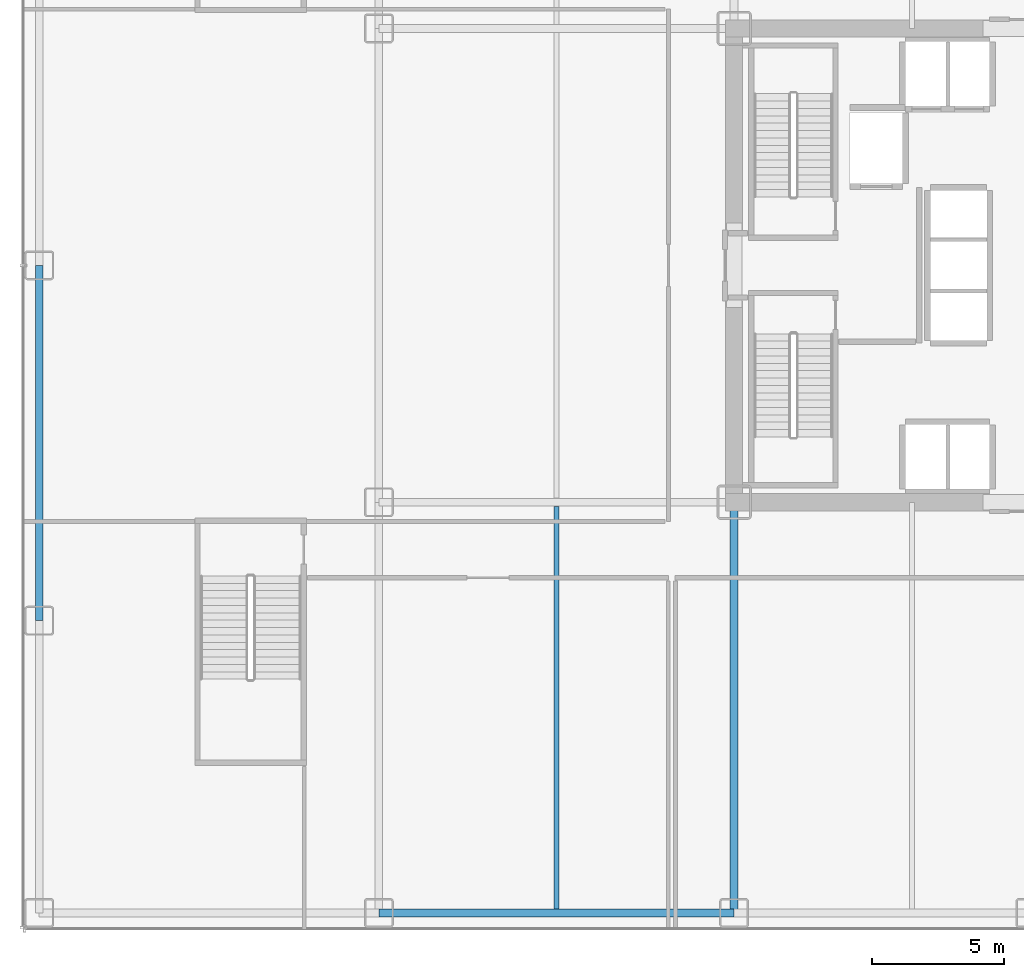
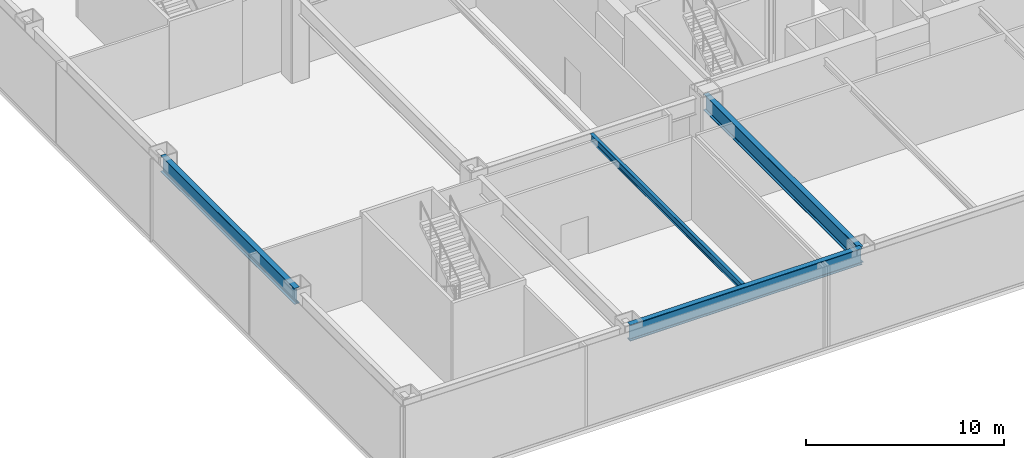
# One storey, part 3 of 24: 4 beams.
"""IFC4 building model written with IfcOpenShell, lengths in metres."""

import ifcopenshell
import ifcopenshell.guid

model = None  # the IFC model being written
_history = None  # IfcOwnerHistory: only IFC2X3 demands one
_inside = {}  # id of a spatial element -> (the spatial element, [elements in it])
_under = {}  # id of a project, library or spatial element -> (it, [spatial elements below it])
_declared = {}  # id of a project -> (the project, [libraries it declares])
_typed = {}  # id of a type object -> (the type object, [elements of that type])
_made_of = {}  # id of a material, layer set ... -> (it, [elements and type objects made of it])


def new_model(schema):
    """Start an empty IFC model of exactly this schema.

    Asked for "IFC4X3", IfcOpenShell would pick the latest addendum, in which some entities
    have other attributes; the version numbers below select the first issue.
    IFC2X3 requires an IfcOwnerHistory on every rooted entity: one is made here for all.
    """
    global model, _history
    if schema == "IFC4X3":
        model = ifcopenshell.file(schema_version=(4, 3, 0, 0))
    else:
        model = ifcopenshell.file(schema=schema)
    _inside.clear()
    _under.clear()
    _declared.clear()
    _typed.clear()
    _made_of.clear()
    _history = None
    if model.schema == "IFC2X3":
        org = make("IfcOrganization", Name="unknown")
        user = make(
            "IfcPersonAndOrganization",
            ThePerson=make("IfcPerson", FamilyName="unknown"),
            TheOrganization=org,
        )
        app = make(
            "IfcApplication",
            ApplicationDeveloper=org,
            Version="unknown",
            ApplicationFullName="unknown",
            ApplicationIdentifier="unknown",
        )
        _history = make(
            "IfcOwnerHistory",
            OwningUser=user,
            OwningApplication=app,
            ChangeAction="ADDED",
            CreationDate=0,
        )
    return model


def make(cls, **values):
    """One entity of the class cls with the attributes given. An attribute that is None is left unset."""
    return model.create_entity(
        cls, **{name: value for name, value in values.items() if value is not None}
    )


def rooted(cls, **values):
    """An entity with a GlobalId (a new one), such as an element, a storey or a relation."""
    return make(cls, GlobalId=ifcopenshell.guid.new(), OwnerHistory=_history, **values)


def si_unit(unit_type, name, prefix=None):
    """IfcSIUnit, for example si_unit("LENGTHUNIT", "METRE", prefix="MILLI")."""
    return make("IfcSIUnit", UnitType=unit_type, Prefix=prefix, Name=name)


def assignment(units):
    """IfcUnitAssignment: the units of a project."""
    return None if units is None else make("IfcUnitAssignment", Units=units)


def point(xyz):
    """IfcCartesianPoint."""
    return None if xyz is None else make("IfcCartesianPoint", Coordinates=xyz)


def direction(xyz):
    """IfcDirection."""
    return None if xyz is None else make("IfcDirection", DirectionRatios=xyz)


def frame(location, z_axis=None, x_axis=None):
    """IfcAxis2Placement3D, a coordinate frame: its origin and axes. An axis left out is left unset."""
    return make(
        "IfcAxis2Placement3D",
        Location=point(location),
        Axis=direction(z_axis),
        RefDirection=direction(x_axis),
    )


def frame_2d(location, x_axis=None):
    """IfcAxis2Placement2D, a coordinate frame in the plane: its origin and x axis."""
    return make(
        "IfcAxis2Placement2D", Location=point(location), RefDirection=direction(x_axis)
    )


def origin():
    """The frame at (0, 0, 0) with its axes left unset."""
    return frame((0.0, 0.0, 0.0))


def origin_2d():
    """The frame at (0, 0) in the plane with its x axis left unset."""
    return frame_2d((0.0, 0.0))


def place(relative_to, where):
    """IfcLocalPlacement: puts the frame where relative to a parent placement (None: the world)."""
    return make(
        "IfcLocalPlacement", PlacementRelTo=relative_to, RelativePlacement=where
    )


def context(
    kind, dimensions, precision=None, world=None, true_north=None, identifier=None
):
    """IfcGeometricRepresentationContext, for example the 3D "Model" context."""
    return make(
        "IfcGeometricRepresentationContext",
        ContextIdentifier=identifier,
        ContextType=kind,
        CoordinateSpaceDimension=dimensions,
        Precision=precision,
        WorldCoordinateSystem=world,
        TrueNorth=true_north,
    )


def subcontext(parent, identifier, kind, view, scale=None):
    """IfcGeometricRepresentationSubContext, for example "Body" below "Model"."""
    return make(
        "IfcGeometricRepresentationSubContext",
        ContextIdentifier=identifier,
        ContextType=kind,
        ParentContext=parent,
        TargetScale=scale,
        TargetView=view,
    )


def project(units=None, contexts=None):
    """IfcProject with its units and contexts."""
    return rooted(
        "IfcProject",
        Name="project",
        RepresentationContexts=contexts,
        UnitsInContext=assignment(units),
    )


def spatial(cls, under=None, at=None, **own):
    """A site, building, storey or space (cls), placed at a placement, below another one or the project."""
    s = rooted(cls, ObjectPlacement=at, **own)
    if under is not None:
        _under.setdefault(under.id(), (under, []))[1].append(s)
    return s


def profile(cls, at=None, kind="AREA", **sizes):
    """A parametric profile (cls). Its sizes go by their IFC names, for example OverallWidth=200.0."""
    return make(cls, ProfileType=kind, Position=at, **sizes)


def i_section(**sizes):
    """IfcIShapeProfileDef."""
    return profile("IfcIShapeProfileDef", **sizes)


def extrude(swept, where, along, depth):
    """IfcExtrudedAreaSolid: the profile swept, set in the frame where, extruded along a direction by depth."""
    return make(
        "IfcExtrudedAreaSolid",
        SweptArea=swept,
        Position=where,
        ExtrudedDirection=direction(along),
        Depth=depth,
    )


def shape(context_of_items, identifier, shape_type, items):
    """IfcShapeRepresentation: the items that make up one representation, for example the "Body"."""
    return make(
        "IfcShapeRepresentation",
        ContextOfItems=context_of_items,
        RepresentationIdentifier=identifier,
        RepresentationType=shape_type,
        Items=items,
    )


def source(mapping_origin, context_of_items, identifier, shape_type, items):
    """IfcRepresentationMap: a shape defined once, which mapped items show again and again."""
    return make(
        "IfcRepresentationMap",
        MappingOrigin=mapping_origin,
        MappedRepresentation=shape(context_of_items, identifier, shape_type, items),
    )


def transform(
    local_origin,
    x_axis=None,
    y_axis=None,
    z_axis=None,
    scale=None,
    scale2=None,
    scale3=None,
    uniform=True,
):
    """IfcCartesianTransformationOperator3D, or its non-uniform kind. x_axis, y_axis, z_axis: its Axis1, 2, 3."""
    if uniform:
        return make(
            "IfcCartesianTransformationOperator3D",
            Axis1=direction(x_axis),
            Axis2=direction(y_axis),
            LocalOrigin=point(local_origin),
            Scale=scale,
            Axis3=direction(z_axis),
        )
    return make(
        "IfcCartesianTransformationOperator3DnonUniform",
        Axis1=direction(x_axis),
        Axis2=direction(y_axis),
        LocalOrigin=point(local_origin),
        Scale=scale,
        Axis3=direction(z_axis),
        Scale2=scale2,
        Scale3=scale3,
    )


def mapped(mapping_source, mapping_target):
    """IfcMappedItem: shows the shape of a source again, moved by a transform."""
    return make(
        "IfcMappedItem", MappingSource=mapping_source, MappingTarget=mapping_target
    )


def material(Name=None, Category=None):
    """IfcMaterial."""
    return make("IfcMaterial", Name=Name, Category=Category)


def material_profile(
    of_material, cross_section, Name=None, Category=None, Priority=None
):
    """IfcMaterialProfile: a cross section and its material."""
    return make(
        "IfcMaterialProfile",
        Name=Name,
        Material=of_material,
        Profile=cross_section,
        Priority=Priority,
        Category=Category,
    )


def profile_set(profiles, Name=None, composite=None):
    """IfcMaterialProfileSet."""
    return make(
        "IfcMaterialProfileSet",
        Name=Name,
        MaterialProfiles=profiles,
        CompositeProfile=composite,
    )


def made_of(thing, what):
    """Note that an element or type object is made of a material, layer set ...; save() writes the relation."""
    if what is not None:
        _made_of.setdefault(what.id(), (what, []))[1].append(thing)
    return thing


def type_object(cls, material=None, **own):
    """A type object (cls), such as IfcWallType, which elements share."""
    return made_of(rooted(cls, **own), material)


def element(
    cls,
    number,
    at=None,
    inside=None,
    cuts=None,
    type_object=None,
    material=None,
    context=None,
    identifier="Body",
    shape_type=None,
    held_by="IfcProductDefinitionShape",
    body=None,
    shapes=None,
    **own,
):
    """One element of the class cls, such as IfcWall. Its Tag is "e" and its number.

    at: its placement. inside: the storey or other place that contains it. cuts: it is an
    opening in that element (IfcRelVoidsElement). A single representation is given by context,
    identifier, shape_type and body (its items); several are given by shapes. held_by: the class
    of the entity that holds the representations. save() writes the other relations.
    """
    e = rooted(cls, Tag="e%d" % number, ObjectPlacement=at, **own)
    if body is not None:
        shapes = [shape(context, identifier, shape_type, body)]
    if shapes is not None:
        e.Representation = make(held_by, Representations=shapes)
    if inside is not None:
        _inside.setdefault(inside.id(), (inside, []))[1].append(e)
    if cuts is not None:
        rooted(
            "IfcRelVoidsElement", RelatingBuildingElement=cuts, RelatedOpeningElement=e
        )
    if type_object is not None:
        _typed.setdefault(type_object.id(), (type_object, []))[1].append(e)
    return made_of(e, material)


def aggregate(whole, parts):
    """IfcRelAggregates: a whole, such as a stair, and the parts it consists of."""
    return rooted("IfcRelAggregates", RelatingObject=whole, RelatedObjects=parts)


def save(model, path):
    """Write the relations noted so far, then the file.

    IfcRelAggregates (storeys below a building ...), IfcRelContainedInSpatialStructure (elements
    in a storey), IfcRelDefinesByType, IfcRelAssociatesMaterial and IfcRelDeclares: one each for
    every whole, place, type object, material and project.
    """
    for whole, parts in _under.values():
        aggregate(whole, parts)
    for where, things in _inside.values():
        rooted(
            "IfcRelContainedInSpatialStructure",
            RelatedElements=things,
            RelatingStructure=where,
        )
    for kind, things in _typed.values():
        rooted("IfcRelDefinesByType", RelatedObjects=things, RelatingType=kind)
    for what, things in _made_of.values():
        rooted("IfcRelAssociatesMaterial", RelatedObjects=things, RelatingMaterial=what)
    for by, libraries in _declared.values():
        rooted("IfcRelDeclares", RelatingContext=by, RelatedDefinitions=libraries)
    model.write(path)


model = new_model("IFC4")

# Units and contexts
model_context = context("Model", 3, precision=1e-05, world=origin(), true_north=direction((0.0, 1.0)))
body_context = subcontext(model_context, "Body", "Model", "MODEL_VIEW")
ifc_project = project(units=[si_unit("LENGTHUNIT", "METRE"), si_unit("AREAUNIT", "SQUARE_METRE"), si_unit("VOLUMEUNIT", "CUBIC_METRE"), si_unit("PLANEANGLEUNIT", "RADIAN"), si_unit("MASSUNIT", "GRAM", prefix="KILO")], contexts=[model_context])

# Site, building, storey
site_placement = place(None, origin())
site = spatial("IfcSite", under=ifc_project, at=site_placement, CompositionType="ELEMENT")
building_placement = place(site_placement, origin())
building = spatial("IfcBuilding", under=site, at=building_placement, Name="Nefas-Gora Pilgrimage Tower", CompositionType="ELEMENT")
storey_placement = place(building_placement, frame((0.0, 0.0, 6.0)))
storey = spatial("IfcBuildingStorey", under=building, at=storey_placement, Name="L01", CompositionType="ELEMENT", Elevation=6.0)

# Beams
ifc_material_1 = material(Name="Steel S355", Category="steel")
ifc_material_profile_1 = material_profile(ifc_material_1, i_section(OverallWidth=0.18994140625, OverallDepth=0.449951171875, WebThickness=0.009521484375, FlangeThickness=0.0146484375, FilletRadius=0.02099609375, at=origin_2d()), Name="IPE 450")
ifc_profile_set_1 = profile_set([ifc_material_profile_1], Name="Steel S355")
beam_type_1 = type_object("IfcBeamType", Name="BM-JST-IPE450", PredefinedType="JOIST", material=ifc_profile_set_1)
shared_shape_1 = source(origin(), body_context, "Body", "SweptSolid", [
    extrude(i_section(OverallWidth=0.18994140625, OverallDepth=0.449951171875, WebThickness=0.009521484375, FlangeThickness=0.0146484375, FilletRadius=0.02099609375, at=origin_2d()), origin(), (0.0, 0.0, 1.0), 15.2880859375),
])
beam_1_placement = place(storey_placement, frame((-18.0, -24.444091796875, 4.875), z_axis=(0.0, 1.0, 0.0), x_axis=(-1.0, 0.0, 0.0)))
element("IfcBeam", 1, at=beam_1_placement, inside=storey, type_object=beam_type_1, Name="L01 J-01 beam", PredefinedType="JOIST", context=body_context, shape_type="MappedRepresentation", body=[
    mapped(shared_shape_1, transform((0.0, 0.0, 0.0), x_axis=(1.0, 0.0, 0.0), y_axis=(0.0, 1.0, 0.0), z_axis=(0.0, 0.0, 1.0), scale=1.0)),
])
ifc_material_2 = material(Name="Steel S460", Category="steel")
ifc_material_profile_2 = material_profile(ifc_material_2, i_section(OverallWidth=0.300048828125, OverallDepth=1.0, WebThickness=0.01904296875, FlangeThickness=0.035888671875, FilletRadius=0.030029296875, at=origin_2d()), Name="HEB 1000")
ifc_profile_set_2 = profile_set([ifc_material_profile_2], Name="Steel S460")
beam_type_2 = type_object("IfcBeamType", Name="BM-POD-HEB1000E", PredefinedType="BEAM", material=ifc_profile_set_2)
shared_shape_2 = source(origin(), body_context, "Body", "SweptSolid", [
    extrude(i_section(OverallWidth=0.300048828125, OverallDepth=1.0, WebThickness=0.01904296875, FlangeThickness=0.035888671875, FilletRadius=0.030029296875, at=origin_2d()), origin(), (0.0, 0.0, 1.0), 13.5),
])
for number, where, z_axis, x_axis, name in (
    (2, (-24.75, -24.60009765625, 4.60009765625), (1.0, 0.0, 0.0), (0.0, 1.0, 0.0), "L01 PG-01E beam"),
    (3, (-37.64990234375, -13.5, 4.60009765625), (0.0, 1.0, 0.0), (-1.0, 0.0, 0.0), "L01 PG-01E beam"),
):
    element("IfcBeam", number, at=place(storey_placement, frame(where, z_axis=z_axis, x_axis=x_axis)), inside=storey, type_object=beam_type_2, Name=name, PredefinedType="BEAM", context=body_context, shape_type="MappedRepresentation", body=[
        mapped(shared_shape_2, transform((0.0, 0.0, 0.0), x_axis=(1.0, 0.0, 0.0), y_axis=(0.0, 1.0, 0.0), z_axis=(0.0, 0.0, 1.0), scale=1.0)),
    ])
ifc_material_profile_3 = material_profile(ifc_material_2, i_section(OverallWidth=0.300048828125, OverallDepth=1.0, WebThickness=0.01904296875, FlangeThickness=0.035888671875, FilletRadius=0.030029296875, at=origin_2d()), Name="HEB 1000")
ifc_profile_set_3 = profile_set([ifc_material_profile_3], Name="Steel S460")
beam_type_3 = type_object("IfcBeamType", Name="BM-POD-HEB1000", PredefinedType="BEAM", material=ifc_profile_set_3)
shared_shape_3 = source(origin(), body_context, "Body", "SweptSolid", [
    extrude(i_section(OverallWidth=0.300048828125, OverallDepth=1.0, WebThickness=0.01904296875, FlangeThickness=0.035888671875, FilletRadius=0.030029296875, at=origin_2d()), origin(), (0.0, 0.0, 1.0), 15.60009765625),
])
beam_2_placement = place(storey_placement, frame((-11.25, -24.60009765625, 4.60009765625), z_axis=(0.0, 1.0, 0.0), x_axis=(-1.0, 0.0, 0.0)))
element("IfcBeam", 4, at=beam_2_placement, inside=storey, type_object=beam_type_3, Name="L01 PG-01 beam", PredefinedType="BEAM", context=body_context, shape_type="MappedRepresentation", body=[
    mapped(shared_shape_3, transform((0.0, 0.0, 0.0), x_axis=(1.0, 0.0, 0.0), y_axis=(0.0, 1.0, 0.0), z_axis=(0.0, 0.0, 1.0), scale=1.0)),
])

save(model, "model.ifc")
